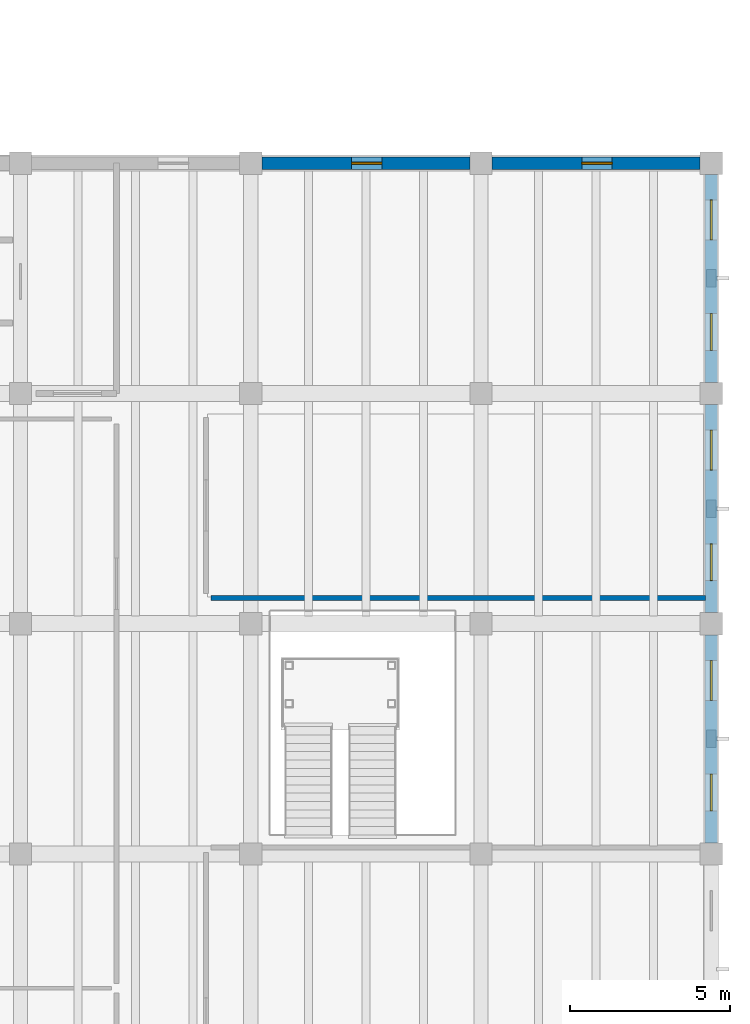
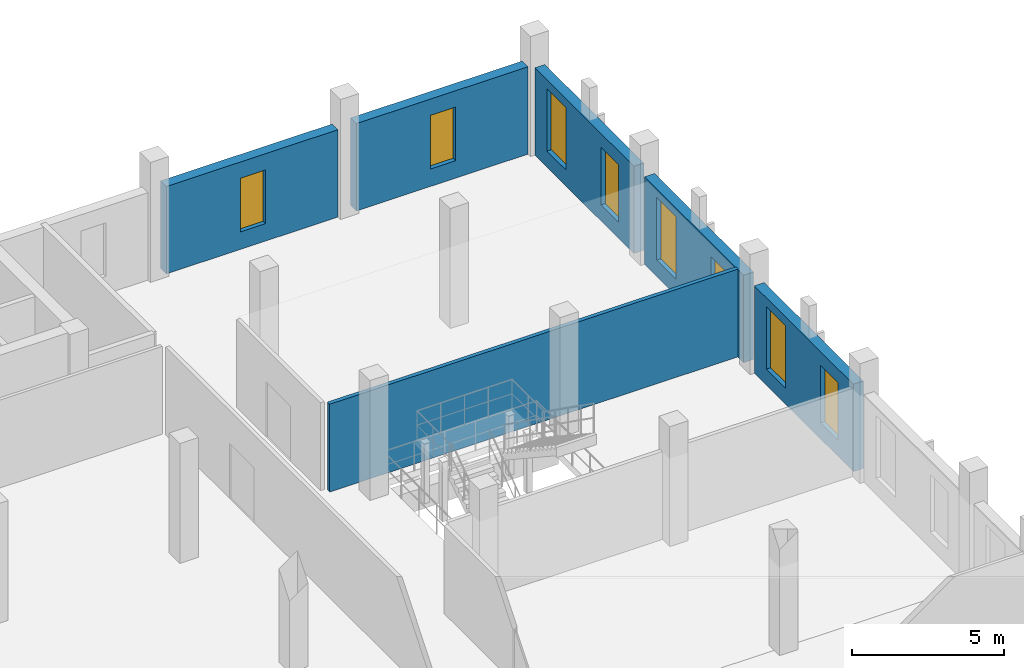
# One storey, part 71 of 77: 8 windows, 6 walls, 8 openings.
"""IFC4 building model written with IfcOpenShell, lengths in metres."""

from ifc_helpers import new_model, si_unit, direction, frame, frame_2d, origin, place, context, subcontext, project, spatial, rectangle, extrude, material, layer, layer_set, type_object, element, fill, save


model = new_model("IFC4")

# Units and contexts
model_context = context("Model", 3, precision=1e-05, world=origin(), true_north=direction((0.0, 1.0)))
body_context = subcontext(model_context, "Body", "Model", "MODEL_VIEW")
ifc_project = project(units=[si_unit("LENGTHUNIT", "METRE"), si_unit("AREAUNIT", "SQUARE_METRE"), si_unit("VOLUMEUNIT", "CUBIC_METRE"), si_unit("PLANEANGLEUNIT", "RADIAN"), si_unit("MASSUNIT", "GRAM", prefix="KILO")], contexts=[model_context])

# Site, building, storey
site_placement = place(None, origin())
site = spatial("IfcSite", under=ifc_project, at=site_placement, CompositionType="ELEMENT")
building_placement = place(site_placement, origin())
building = spatial("IfcBuilding", under=site, at=building_placement, Name="Qiaolan Assembly House", CompositionType="ELEMENT")
storey_placement = place(building_placement, frame((0.0, 0.0, 5.39990234375)))
storey = spatial("IfcBuildingStorey", under=building, at=storey_placement, Name="L01", CompositionType="ELEMENT", Elevation=5.39990234375)

# Wall, openings, windows
ifc_material_1 = material(Name="Honed pale limestone", Category="masonry")
ifc_layer_1 = layer(ifc_material_1, 0.3798828125)
ifc_layer_set_1 = layer_set([ifc_layer_1], Name="Honed pale limestone")
wall_type_1 = type_object("IfcWallType", Name="WAL-EXT-LIB-380", PredefinedType="SOLIDWALL", material=ifc_layer_set_1)
wall_1_placement = place(storey_placement, frame((172.800048828125, 71.652099609375, 0.0), z_axis=(0.0, 0.0, 1.0), x_axis=(0.0, -1.0, 0.0)))
wall_1 = element("IfcWall", 1, at=wall_1_placement, inside=storey, type_object=wall_type_1, Name="Library East avenue wall L01-6", PredefinedType="SOLIDWALL", context=body_context, shape_type="SweptSolid", body=[
    extrude(rectangle(XDim=6.504150390625, YDim=0.3798828125, at=frame_2d((3.251953125, 0.0))), origin(), (0.0, 0.0, 1.0), 3.5),
])
opening_1_placement = place(wall_1_placement, frame((0.802001953125, 0.0, 0.64990234375)))
opening_1 = element("IfcOpeningElement", 2, at=opening_1_placement, cuts=wall_1, Name="Opening WN-440", PredefinedType="OPENING", context=body_context, shape_type="SweptSolid", body=[
    extrude(rectangle(XDim=1.25, YDim=2.5, at=frame_2d((0.625, 1.25))), frame((0.0, 0.199951171875, 0.0), z_axis=(0.0, -1.0, 0.0), x_axis=(1.0, 0.0, 0.0)), (0.0, 0.0, 1.0), 0.39990234375),
])
opening_2_placement = place(wall_1_placement, frame((4.35205078125, 0.0, 0.64990234375)))
opening_2 = element("IfcOpeningElement", 3, at=opening_2_placement, cuts=wall_1, Name="Opening WN-441", PredefinedType="OPENING", context=body_context, shape_type="SweptSolid", body=[
    extrude(rectangle(XDim=1.14990234375, YDim=2.300048828125, at=frame_2d((0.574951171875, 1.14990234375))), frame((0.0, 0.199951171875, 0.0), z_axis=(0.0, -1.0, 0.0), x_axis=(1.0, 0.0, 0.0)), (0.0, 0.0, 1.0), 0.39990234375),
])
ifc_material_2 = material(Name="Low-E double insulating glass", Category="glass")
window_type_1 = type_object("IfcWindowType", Name="WIN-LIB-1250x2500", PartitioningType="DOUBLE_PANEL_VERTICAL", PredefinedType="WINDOW", material=ifc_material_2)
window_1_placement = place(opening_1_placement, origin())
window_1 = element("IfcWindow", 4, at=window_1_placement, inside=storey, type_object=window_type_1, Name="Library reading window WN-440", OverallHeight=2.5, OverallWidth=1.25, PartitioningType="DOUBLE_PANEL_VERTICAL", PredefinedType="WINDOW", context=body_context, shape_type="SweptSolid", body=[
    extrude(rectangle(XDim=1.25, YDim=2.5, at=frame_2d((0.625, 1.25))), frame((0.0, 0.030029296875, 0.0), z_axis=(0.0, -1.0, 0.0), x_axis=(1.0, 0.0, 0.0)), (0.0, 0.0, 1.0), 0.06005859375),
])
fill(opening_1, window_1)
window_type_2 = type_object("IfcWindowType", Name="WIN-LIB-CARREL-1150x2300", PartitioningType="SINGLE_PANEL", PredefinedType="WINDOW", material=ifc_material_2)
window_2_placement = place(opening_2_placement, origin())
window_2 = element("IfcWindow", 5, at=window_2_placement, inside=storey, type_object=window_type_2, Name="Library reading window WN-441", OverallHeight=2.300048828125, OverallWidth=1.14990234375, PartitioningType="SINGLE_PANEL", PredefinedType="WINDOW", context=body_context, shape_type="SweptSolid", body=[
    extrude(rectangle(XDim=1.14990234375, YDim=2.300048828125, at=frame_2d((0.574951171875, 1.14990234375))), frame((0.0, 0.030029296875, 0.0), z_axis=(0.0, -1.0, 0.0), x_axis=(1.0, 0.0, 0.0)), (0.0, 0.0, 1.0), 0.06005859375),
])
fill(opening_2, window_2)

wall_2_placement = place(storey_placement, frame((172.800048828125, 78.85205078125, 0.0), z_axis=(0.0, 0.0, 1.0), x_axis=(0.0, -1.0, 0.0)))
wall_2 = element("IfcWall", 6, at=wall_2_placement, inside=storey, type_object=wall_type_1, Name="Library East avenue wall L01-7", PredefinedType="SOLIDWALL", context=body_context, shape_type="SweptSolid", body=[
    extrude(rectangle(XDim=6.504150390625, YDim=0.3798828125, at=frame_2d((3.251953125, 0.0))), origin(), (0.0, 0.0, 1.0), 3.5),
])
opening_3_placement = place(wall_2_placement, frame((0.802001953125, 0.0, 0.64990234375)))
opening_3 = element("IfcOpeningElement", 7, at=opening_3_placement, cuts=wall_2, Name="Opening WN-443", PredefinedType="OPENING", context=body_context, shape_type="SweptSolid", body=[
    extrude(rectangle(XDim=1.25, YDim=2.5, at=frame_2d((0.625, 1.25))), frame((0.0, 0.199951171875, 0.0), z_axis=(0.0, -1.0, 0.0), x_axis=(1.0, 0.0, 0.0)), (0.0, 0.0, 1.0), 0.39990234375),
])
opening_4_placement = place(wall_2_placement, frame((4.35205078125, 0.0, 0.64990234375)))
opening_4 = element("IfcOpeningElement", 8, at=opening_4_placement, cuts=wall_2, Name="Opening WN-444", PredefinedType="OPENING", context=body_context, shape_type="SweptSolid", body=[
    extrude(rectangle(XDim=1.14990234375, YDim=2.300048828125, at=frame_2d((0.574951171875, 1.14990234375))), frame((0.0, 0.199951171875, 0.0), z_axis=(0.0, -1.0, 0.0), x_axis=(1.0, 0.0, 0.0)), (0.0, 0.0, 1.0), 0.39990234375),
])
window_3_placement = place(opening_3_placement, origin())
window_3 = element("IfcWindow", 9, at=window_3_placement, inside=storey, type_object=window_type_1, Name="Library reading window WN-443", OverallHeight=2.5, OverallWidth=1.25, PartitioningType="DOUBLE_PANEL_VERTICAL", PredefinedType="WINDOW", context=body_context, shape_type="SweptSolid", body=[
    extrude(rectangle(XDim=1.25, YDim=2.5, at=frame_2d((0.625, 1.25))), frame((0.0, 0.030029296875, 0.0), z_axis=(0.0, -1.0, 0.0), x_axis=(1.0, 0.0, 0.0)), (0.0, 0.0, 1.0), 0.06005859375),
])
fill(opening_3, window_3)
window_4_placement = place(opening_4_placement, origin())
window_4 = element("IfcWindow", 10, at=window_4_placement, inside=storey, type_object=window_type_2, Name="Library reading window WN-444", OverallHeight=2.300048828125, OverallWidth=1.14990234375, PartitioningType="SINGLE_PANEL", PredefinedType="WINDOW", context=body_context, shape_type="SweptSolid", body=[
    extrude(rectangle(XDim=1.14990234375, YDim=2.300048828125, at=frame_2d((0.574951171875, 1.14990234375))), frame((0.0, 0.030029296875, 0.0), z_axis=(0.0, -1.0, 0.0), x_axis=(1.0, 0.0, 0.0)), (0.0, 0.0, 1.0), 0.06005859375),
])
fill(opening_4, window_4)

wall_3_placement = place(storey_placement, frame((172.800048828125, 86.052001953125, 0.0), z_axis=(0.0, 0.0, 1.0), x_axis=(0.0, -1.0, 0.0)))
wall_3 = element("IfcWall", 11, at=wall_3_placement, inside=storey, type_object=wall_type_1, Name="Library East avenue wall L01-8", PredefinedType="SOLIDWALL", context=body_context, shape_type="SweptSolid", body=[
    extrude(rectangle(XDim=6.50390625, YDim=0.3798828125, at=frame_2d((3.251953125, 0.0))), origin(), (0.0, 0.0, 1.0), 3.5),
])
opening_5_placement = place(wall_3_placement, frame((0.802001953125, 0.0, 0.64990234375)))
opening_5 = element("IfcOpeningElement", 12, at=opening_5_placement, cuts=wall_3, Name="Opening WN-446", PredefinedType="OPENING", context=body_context, shape_type="SweptSolid", body=[
    extrude(rectangle(XDim=1.25, YDim=2.5, at=frame_2d((0.625, 1.25))), frame((0.0, 0.199951171875, 0.0), z_axis=(0.0, -1.0, 0.0), x_axis=(1.0, 0.0, 0.0)), (0.0, 0.0, 1.0), 0.39990234375),
])
opening_6_placement = place(wall_3_placement, frame((4.35205078125, 0.0, 0.64990234375)))
opening_6 = element("IfcOpeningElement", 13, at=opening_6_placement, cuts=wall_3, Name="Opening WN-447", PredefinedType="OPENING", context=body_context, shape_type="SweptSolid", body=[
    extrude(rectangle(XDim=1.14990234375, YDim=2.300048828125, at=frame_2d((0.574951171875, 1.14990234375))), frame((0.0, 0.199951171875, 0.0), z_axis=(0.0, -1.0, 0.0), x_axis=(1.0, 0.0, 0.0)), (0.0, 0.0, 1.0), 0.39990234375),
])
window_5_placement = place(opening_5_placement, origin())
window_5 = element("IfcWindow", 14, at=window_5_placement, inside=storey, type_object=window_type_1, Name="Library reading window WN-446", OverallHeight=2.5, OverallWidth=1.25, PartitioningType="DOUBLE_PANEL_VERTICAL", PredefinedType="WINDOW", context=body_context, shape_type="SweptSolid", body=[
    extrude(rectangle(XDim=1.25, YDim=2.5, at=frame_2d((0.625, 1.25))), frame((0.0, 0.030029296875, 0.0), z_axis=(0.0, -1.0, 0.0), x_axis=(1.0, 0.0, 0.0)), (0.0, 0.0, 1.0), 0.06005859375),
])
fill(opening_5, window_5)
window_6_placement = place(opening_6_placement, origin())
window_6 = element("IfcWindow", 15, at=window_6_placement, inside=storey, type_object=window_type_2, Name="Library reading window WN-447", OverallHeight=2.300048828125, OverallWidth=1.14990234375, PartitioningType="SINGLE_PANEL", PredefinedType="WINDOW", context=body_context, shape_type="SweptSolid", body=[
    extrude(rectangle(XDim=1.14990234375, YDim=2.300048828125, at=frame_2d((0.574951171875, 1.14990234375))), frame((0.0, 0.030029296875, 0.0), z_axis=(0.0, -1.0, 0.0), x_axis=(1.0, 0.0, 0.0)), (0.0, 0.0, 1.0), 0.06005859375),
])
fill(opening_6, window_6)

# Wall, opening, window
wall_4_placement = place(storey_placement, frame((165.251953125, 86.39990234375, 0.0), z_axis=(0.0, 0.0, 1.0), x_axis=(-1.0, 0.0, 0.0)))
wall_4 = element("IfcWall", 16, at=wall_4_placement, inside=storey, type_object=wall_type_1, Name="Library North wall L01-4", PredefinedType="SOLIDWALL", context=body_context, shape_type="SweptSolid", body=[
    extrude(rectangle(XDim=6.50390625, YDim=0.3798828125, at=frame_2d((3.251953125, 0.0))), origin(), (0.0, 0.0, 1.0), 3.5),
])
opening_7_placement = place(wall_4_placement, frame((2.751953125, 0.0, 0.699951171875)))
opening_7 = element("IfcOpeningElement", 17, at=opening_7_placement, cuts=wall_4, Name="Opening WN-453", PredefinedType="OPENING", context=body_context, shape_type="SweptSolid", body=[
    extrude(rectangle(XDim=0.949951171875, YDim=2.14990234375, at=frame_2d((0.47509765625, 1.074951171875))), frame((0.0, 0.199951171875, 0.0), z_axis=(0.0, -1.0, 0.0), x_axis=(1.0, 0.0, 0.0)), (0.0, 0.0, 1.0), 0.39990234375),
])
window_type_3 = type_object("IfcWindowType", Name="WIN-PUNCH-950x2150", PartitioningType="SINGLE_PANEL", PredefinedType="WINDOW", material=ifc_material_2)
window_7_placement = place(opening_7_placement, origin())
window_7 = element("IfcWindow", 18, at=window_7_placement, inside=storey, type_object=window_type_3, Name="Library North window WN-453", OverallHeight=2.14990234375, OverallWidth=0.949951171875, PartitioningType="SINGLE_PANEL", PredefinedType="WINDOW", context=body_context, shape_type="SweptSolid", body=[
    extrude(rectangle(XDim=0.949951171875, YDim=2.14990234375, at=frame_2d((0.47509765625, 1.074951171875))), frame((0.0, 0.030029296875, 0.0), z_axis=(0.0, -1.0, 0.0), x_axis=(1.0, 0.0, 0.0)), (0.0, 0.0, 1.0), 0.06005859375),
])
fill(opening_7, window_7)

wall_5_placement = place(storey_placement, frame((172.451904296875, 86.39990234375, 0.0), z_axis=(0.0, 0.0, 1.0), x_axis=(-1.0, 0.0, 0.0)))
wall_5 = element("IfcWall", 19, at=wall_5_placement, inside=storey, type_object=wall_type_1, Name="Library North wall L01-5", PredefinedType="SOLIDWALL", context=body_context, shape_type="SweptSolid", body=[
    extrude(rectangle(XDim=6.50390625, YDim=0.3798828125, at=frame_2d((3.251953125, 0.0))), origin(), (0.0, 0.0, 1.0), 3.5),
])
opening_8_placement = place(wall_5_placement, frame((2.751953125, 0.0, 0.699951171875)))
opening_8 = element("IfcOpeningElement", 20, at=opening_8_placement, cuts=wall_5, Name="Opening WN-455", PredefinedType="OPENING", context=body_context, shape_type="SweptSolid", body=[
    extrude(rectangle(XDim=0.949951171875, YDim=2.14990234375, at=frame_2d((0.47509765625, 1.074951171875))), frame((0.0, 0.199951171875, 0.0), z_axis=(0.0, -1.0, 0.0), x_axis=(1.0, 0.0, 0.0)), (0.0, 0.0, 1.0), 0.39990234375),
])
window_8_placement = place(opening_8_placement, origin())
window_8 = element("IfcWindow", 21, at=window_8_placement, inside=storey, type_object=window_type_3, Name="Library North window WN-455", OverallHeight=2.14990234375, OverallWidth=0.949951171875, PartitioningType="SINGLE_PANEL", PredefinedType="WINDOW", context=body_context, shape_type="SweptSolid", body=[
    extrude(rectangle(XDim=0.949951171875, YDim=2.14990234375, at=frame_2d((0.47509765625, 1.074951171875))), frame((0.0, 0.030029296875, 0.0), z_axis=(0.0, -1.0, 0.0), x_axis=(1.0, 0.0, 0.0)), (0.0, 0.0, 1.0), 0.06005859375),
])
fill(opening_8, window_8)

# Wall
ifc_material_3 = material(Name="Gypsum plasterboard partition")
ifc_layer_2 = layer(ifc_material_3, 0.14990234375)
ifc_layer_set_2 = layer_set([ifc_layer_2], Name="Gypsum plasterboard partition")
wall_type_2 = type_object("IfcWallType", Name="WAL-PART-150", PredefinedType="PARTITIONING", material=ifc_layer_set_2)
wall_6_placement = place(storey_placement, frame((157.14990234375, 72.800048828125, 0.0), z_axis=(0.0, 0.0, 1.0), x_axis=(1.0, 0.0, 0.0)))
element("IfcWall", 22, at=wall_6_placement, inside=storey, type_object=wall_type_2, Name="Reading well north wall", PredefinedType="PARTITIONING", context=body_context, shape_type="SweptSolid", body=[
    extrude(rectangle(XDim=15.47021484375, YDim=0.14990234375, at=frame_2d((7.735107421875, 0.0))), origin(), (0.0, 0.0, 1.0), 3.52001953125),
])

save(model, "model.ifc")
